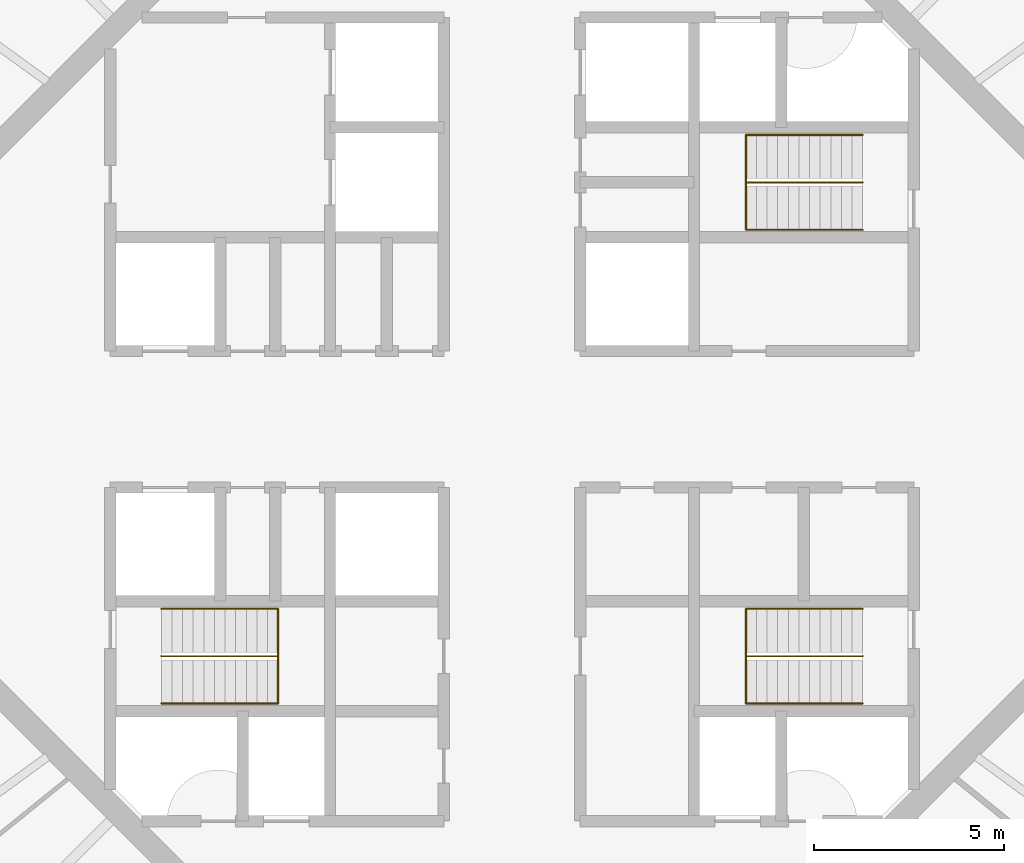
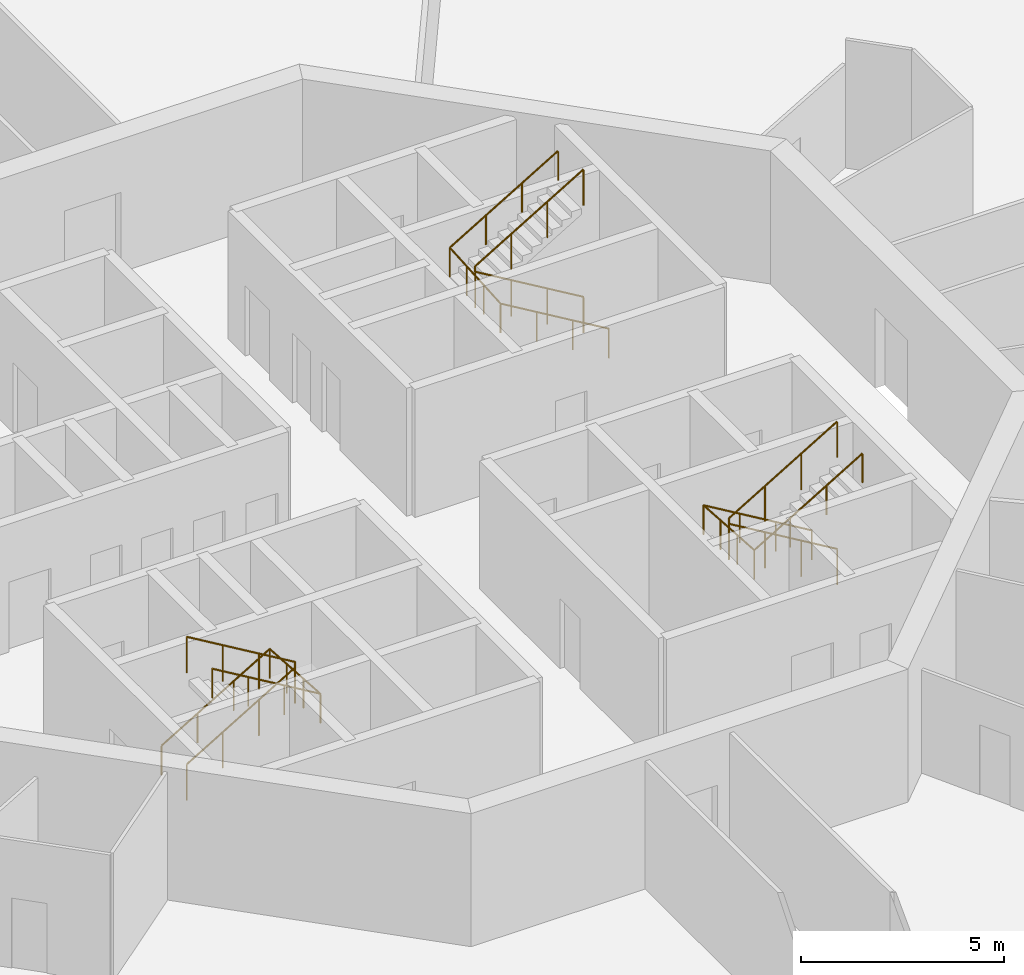
# One storey, part 13 of 13: 6 railings.
"""IFC4 building model written with IfcOpenShell, lengths in metres."""

import ifcopenshell
import ifcopenshell.guid

model = None  # the IFC model being written
_history = None  # IfcOwnerHistory: only IFC2X3 demands one
_inside = {}  # id of a spatial element -> (the spatial element, [elements in it])
_under = {}  # id of a project, library or spatial element -> (it, [spatial elements below it])
_declared = {}  # id of a project -> (the project, [libraries it declares])
_typed = {}  # id of a type object -> (the type object, [elements of that type])
_made_of = {}  # id of a material, layer set ... -> (it, [elements and type objects made of it])


def new_model(schema):
    """Start an empty IFC model of exactly this schema.

    Asked for "IFC4X3", IfcOpenShell would pick the latest addendum, in which some entities
    have other attributes; the version numbers below select the first issue.
    IFC2X3 requires an IfcOwnerHistory on every rooted entity: one is made here for all.
    """
    global model, _history
    if schema == "IFC4X3":
        model = ifcopenshell.file(schema_version=(4, 3, 0, 0))
    else:
        model = ifcopenshell.file(schema=schema)
    _inside.clear()
    _under.clear()
    _declared.clear()
    _typed.clear()
    _made_of.clear()
    _history = None
    if model.schema == "IFC2X3":
        org = make("IfcOrganization", Name="unknown")
        user = make(
            "IfcPersonAndOrganization",
            ThePerson=make("IfcPerson", FamilyName="unknown"),
            TheOrganization=org,
        )
        app = make(
            "IfcApplication",
            ApplicationDeveloper=org,
            Version="unknown",
            ApplicationFullName="unknown",
            ApplicationIdentifier="unknown",
        )
        _history = make(
            "IfcOwnerHistory",
            OwningUser=user,
            OwningApplication=app,
            ChangeAction="ADDED",
            CreationDate=0,
        )
    return model


def make(cls, **values):
    """One entity of the class cls with the attributes given. An attribute that is None is left unset."""
    return model.create_entity(
        cls, **{name: value for name, value in values.items() if value is not None}
    )


def rooted(cls, **values):
    """An entity with a GlobalId (a new one), such as an element, a storey or a relation."""
    return make(cls, GlobalId=ifcopenshell.guid.new(), OwnerHistory=_history, **values)


def si_unit(unit_type, name, prefix=None):
    """IfcSIUnit, for example si_unit("LENGTHUNIT", "METRE", prefix="MILLI")."""
    return make("IfcSIUnit", UnitType=unit_type, Prefix=prefix, Name=name)


def assignment(units):
    """IfcUnitAssignment: the units of a project."""
    return None if units is None else make("IfcUnitAssignment", Units=units)


def point(xyz):
    """IfcCartesianPoint."""
    return None if xyz is None else make("IfcCartesianPoint", Coordinates=xyz)


def direction(xyz):
    """IfcDirection."""
    return None if xyz is None else make("IfcDirection", DirectionRatios=xyz)


def frame(location, z_axis=None, x_axis=None):
    """IfcAxis2Placement3D, a coordinate frame: its origin and axes. An axis left out is left unset."""
    return make(
        "IfcAxis2Placement3D",
        Location=point(location),
        Axis=direction(z_axis),
        RefDirection=direction(x_axis),
    )


def frame_2d(location, x_axis=None):
    """IfcAxis2Placement2D, a coordinate frame in the plane: its origin and x axis."""
    return make(
        "IfcAxis2Placement2D", Location=point(location), RefDirection=direction(x_axis)
    )


def origin():
    """The frame at (0, 0, 0) with its axes left unset."""
    return frame((0.0, 0.0, 0.0))


def origin_2d():
    """The frame at (0, 0) in the plane with its x axis left unset."""
    return frame_2d((0.0, 0.0))


def place(relative_to, where):
    """IfcLocalPlacement: puts the frame where relative to a parent placement (None: the world)."""
    return make(
        "IfcLocalPlacement", PlacementRelTo=relative_to, RelativePlacement=where
    )


def context(
    kind, dimensions, precision=None, world=None, true_north=None, identifier=None
):
    """IfcGeometricRepresentationContext, for example the 3D "Model" context."""
    return make(
        "IfcGeometricRepresentationContext",
        ContextIdentifier=identifier,
        ContextType=kind,
        CoordinateSpaceDimension=dimensions,
        Precision=precision,
        WorldCoordinateSystem=world,
        TrueNorth=true_north,
    )


def subcontext(parent, identifier, kind, view, scale=None):
    """IfcGeometricRepresentationSubContext, for example "Body" below "Model"."""
    return make(
        "IfcGeometricRepresentationSubContext",
        ContextIdentifier=identifier,
        ContextType=kind,
        ParentContext=parent,
        TargetScale=scale,
        TargetView=view,
    )


def project(units=None, contexts=None):
    """IfcProject with its units and contexts."""
    return rooted(
        "IfcProject",
        Name="project",
        RepresentationContexts=contexts,
        UnitsInContext=assignment(units),
    )


def spatial(cls, under=None, at=None, **own):
    """A site, building, storey or space (cls), placed at a placement, below another one or the project."""
    s = rooted(cls, ObjectPlacement=at, **own)
    if under is not None:
        _under.setdefault(under.id(), (under, []))[1].append(s)
    return s


def profile(cls, at=None, kind="AREA", **sizes):
    """A parametric profile (cls). Its sizes go by their IFC names, for example OverallWidth=200.0."""
    return make(cls, ProfileType=kind, Position=at, **sizes)


def circle(**sizes):
    """IfcCircleProfileDef."""
    return profile("IfcCircleProfileDef", **sizes)


def extrude(swept, where, along, depth):
    """IfcExtrudedAreaSolid: the profile swept, set in the frame where, extruded along a direction by depth."""
    return make(
        "IfcExtrudedAreaSolid",
        SweptArea=swept,
        Position=where,
        ExtrudedDirection=direction(along),
        Depth=depth,
    )


def shape(context_of_items, identifier, shape_type, items):
    """IfcShapeRepresentation: the items that make up one representation, for example the "Body"."""
    return make(
        "IfcShapeRepresentation",
        ContextOfItems=context_of_items,
        RepresentationIdentifier=identifier,
        RepresentationType=shape_type,
        Items=items,
    )


def material(Name=None, Category=None):
    """IfcMaterial."""
    return make("IfcMaterial", Name=Name, Category=Category)


def made_of(thing, what):
    """Note that an element or type object is made of a material, layer set ...; save() writes the relation."""
    if what is not None:
        _made_of.setdefault(what.id(), (what, []))[1].append(thing)
    return thing


def type_object(cls, material=None, **own):
    """A type object (cls), such as IfcWallType, which elements share."""
    return made_of(rooted(cls, **own), material)


def element(
    cls,
    number,
    at=None,
    inside=None,
    cuts=None,
    type_object=None,
    material=None,
    context=None,
    identifier="Body",
    shape_type=None,
    held_by="IfcProductDefinitionShape",
    body=None,
    shapes=None,
    **own,
):
    """One element of the class cls, such as IfcWall. Its Tag is "e" and its number.

    at: its placement. inside: the storey or other place that contains it. cuts: it is an
    opening in that element (IfcRelVoidsElement). A single representation is given by context,
    identifier, shape_type and body (its items); several are given by shapes. held_by: the class
    of the entity that holds the representations. save() writes the other relations.
    """
    e = rooted(cls, Tag="e%d" % number, ObjectPlacement=at, **own)
    if body is not None:
        shapes = [shape(context, identifier, shape_type, body)]
    if shapes is not None:
        e.Representation = make(held_by, Representations=shapes)
    if inside is not None:
        _inside.setdefault(inside.id(), (inside, []))[1].append(e)
    if cuts is not None:
        rooted(
            "IfcRelVoidsElement", RelatingBuildingElement=cuts, RelatedOpeningElement=e
        )
    if type_object is not None:
        _typed.setdefault(type_object.id(), (type_object, []))[1].append(e)
    return made_of(e, material)


def aggregate(whole, parts):
    """IfcRelAggregates: a whole, such as a stair, and the parts it consists of."""
    return rooted("IfcRelAggregates", RelatingObject=whole, RelatedObjects=parts)


def save(model, path):
    """Write the relations noted so far, then the file.

    IfcRelAggregates (storeys below a building ...), IfcRelContainedInSpatialStructure (elements
    in a storey), IfcRelDefinesByType, IfcRelAssociatesMaterial and IfcRelDeclares: one each for
    every whole, place, type object, material and project.
    """
    for whole, parts in _under.values():
        aggregate(whole, parts)
    for where, things in _inside.values():
        rooted(
            "IfcRelContainedInSpatialStructure",
            RelatedElements=things,
            RelatingStructure=where,
        )
    for kind, things in _typed.values():
        rooted("IfcRelDefinesByType", RelatedObjects=things, RelatingType=kind)
    for what, things in _made_of.values():
        rooted("IfcRelAssociatesMaterial", RelatedObjects=things, RelatingMaterial=what)
    for by, libraries in _declared.values():
        rooted("IfcRelDeclares", RelatingContext=by, RelatedDefinitions=libraries)
    model.write(path)


model = new_model("IFC4")

# Units and contexts
model_context = context("Model", 3, precision=1e-05, world=origin(), true_north=direction((0.0, 1.0)))
body_context = subcontext(model_context, "Body", "Model", "MODEL_VIEW")
ifc_project = project(units=[si_unit("LENGTHUNIT", "METRE"), si_unit("AREAUNIT", "SQUARE_METRE"), si_unit("VOLUMEUNIT", "CUBIC_METRE"), si_unit("PLANEANGLEUNIT", "RADIAN"), si_unit("MASSUNIT", "GRAM", prefix="KILO")], contexts=[model_context])

# Site, building, storey
site_placement = place(None, origin())
site = spatial("IfcSite", under=ifc_project, at=site_placement, CompositionType="ELEMENT")
building_placement = place(site_placement, origin())
building = spatial("IfcBuilding", under=site, at=building_placement, Name="Entoto Ring Tower", CompositionType="ELEMENT")
storey_placement = place(building_placement, frame((0.0, 0.0, 348.0)))
storey = spatial("IfcBuildingStorey", under=building, at=storey_placement, Name="L80", CompositionType="ELEMENT", Elevation=348.0)

# Railings
ifc_material_1 = material(Name="Steel S275", Category="steel")
railing_type_1 = type_object("IfcRailingType", Name="Stair guard 1100 mm steel", PredefinedType="GUARDRAIL", material=ifc_material_1)
railing_1_placement = place(storey_placement, frame((99.25, 86.25, 0.166748046875)))
element("IfcRailing", 1, at=railing_1_placement, inside=storey, type_object=railing_type_1, Name="Guard ST1", PredefinedType="GUARDRAIL", context=body_context, shape_type="SweptSolid", body=[
    extrude(circle(Radius=0.02392578125, at=origin_2d()), frame((0.0, 0.0, 1.076171875), z_axis=(-0.859308565015, 0.0, 0.511457515432), x_axis=(0.0, -1.0, 0.0)), (0.0, 0.0, 1.0), 3.58447265625),
    extrude(circle(Radius=0.02392578125, at=origin_2d()), frame((-3.080078125, 0.0, 2.9091796875), z_axis=(0.0, 0.0, 1.0), x_axis=(1.0, 0.0, 0.0)), (0.0, 0.0, 1.0), 0.166748046875),
    extrude(circle(Radius=0.02392578125, at=origin_2d()), frame((-3.080078125, 0.0, 3.076171875), z_axis=(0.859308565015, 0.0, 0.511457515432), x_axis=(0.0, 1.0, 0.0)), (0.0, 0.0, 1.0), 3.58447265625),
    extrude(circle(Radius=0.02099609375, at=origin_2d()), origin(), (0.0, 0.0, 1.0), 1.052001953125),
    extrude(circle(Radius=0.02099609375, at=origin_2d()), frame((-1.026611328125, 0.0, 0.611083984375)), (0.0, 0.0, 1.0), 1.052001953125),
    extrude(circle(Radius=0.02099609375, at=origin_2d()), frame((-2.053466796875, 0.0, 1.22216796875)), (0.0, 0.0, 1.0), 1.052001953125),
    extrude(circle(Radius=0.02099609375, at=origin_2d()), frame((-3.080078125, 0.0, 1.833251953125)), (0.0, 0.0, 1.0), 1.052001953125),
    extrude(circle(Radius=0.02099609375, at=origin_2d()), frame((-3.080078125, 0.0, 2.0)), (0.0, 0.0, 1.0), 1.052001953125),
    extrude(circle(Radius=0.02099609375, at=origin_2d()), frame((-2.053466796875, 0.0, 2.611083984375)), (0.0, 0.0, 1.0), 1.052001953125),
    extrude(circle(Radius=0.02099609375, at=origin_2d()), frame((-1.026611328125, 0.0, 3.22216796875)), (0.0, 0.0, 1.0), 1.052001953125),
    extrude(circle(Radius=0.02099609375, at=origin_2d()), frame((0.0, 0.0, 3.833251953125)), (0.0, 0.0, 1.0), 1.052001953125),
])
railing_2_placement = place(storey_placement, frame((80.75, 73.75, 0.166748046875)))
element("IfcRailing", 2, at=railing_2_placement, inside=storey, type_object=railing_type_1, Name="Guard ST2", PredefinedType="GUARDRAIL", context=body_context, shape_type="SweptSolid", body=[
    extrude(circle(Radius=0.02392578125, at=origin_2d()), frame((0.0, 0.0, 1.076171875), z_axis=(0.859308565015, 0.0, 0.511457515432), x_axis=(0.0, 1.0, 0.0)), (0.0, 0.0, 1.0), 3.58447265625),
    extrude(circle(Radius=0.02392578125, at=origin_2d()), frame((3.080078125, 0.0, 2.9091796875), z_axis=(0.0, 0.0, 1.0), x_axis=(1.0, 0.0, 0.0)), (0.0, 0.0, 1.0), 0.166748046875),
    extrude(circle(Radius=0.02392578125, at=origin_2d()), frame((3.080078125, 0.0, 3.076171875), z_axis=(-0.859308565015, 0.0, 0.511457515432), x_axis=(0.0, -1.0, 0.0)), (0.0, 0.0, 1.0), 3.58447265625),
    extrude(circle(Radius=0.02099609375, at=origin_2d()), origin(), (0.0, 0.0, 1.0), 1.052001953125),
    extrude(circle(Radius=0.02099609375, at=origin_2d()), frame((1.026611328125, 0.0, 0.611083984375)), (0.0, 0.0, 1.0), 1.052001953125),
    extrude(circle(Radius=0.02099609375, at=origin_2d()), frame((2.053466796875, 0.0, 1.22216796875)), (0.0, 0.0, 1.0), 1.052001953125),
    extrude(circle(Radius=0.02099609375, at=origin_2d()), frame((3.080078125, 0.0, 1.833251953125)), (0.0, 0.0, 1.0), 1.052001953125),
    extrude(circle(Radius=0.02099609375, at=origin_2d()), frame((3.080078125, 0.0, 2.0)), (0.0, 0.0, 1.0), 1.052001953125),
    extrude(circle(Radius=0.02099609375, at=origin_2d()), frame((2.053466796875, 0.0, 2.611083984375)), (0.0, 0.0, 1.0), 1.052001953125),
    extrude(circle(Radius=0.02099609375, at=origin_2d()), frame((1.026611328125, 0.0, 3.22216796875)), (0.0, 0.0, 1.0), 1.052001953125),
    extrude(circle(Radius=0.02099609375, at=origin_2d()), frame((0.0, 0.0, 3.833251953125)), (0.0, 0.0, 1.0), 1.052001953125),
])
railing_3_placement = place(storey_placement, frame((99.25, 73.75, 0.166748046875)))
element("IfcRailing", 3, at=railing_3_placement, inside=storey, type_object=railing_type_1, Name="Guard ST3", PredefinedType="GUARDRAIL", context=body_context, shape_type="SweptSolid", body=[
    extrude(circle(Radius=0.02392578125, at=origin_2d()), frame((0.0, 0.0, 1.076171875), z_axis=(-0.859308565015, 0.0, 0.511457515432), x_axis=(0.0, -1.0, 0.0)), (0.0, 0.0, 1.0), 3.58447265625),
    extrude(circle(Radius=0.02392578125, at=origin_2d()), frame((-3.080078125, 0.0, 2.9091796875), z_axis=(0.0, 0.0, 1.0), x_axis=(1.0, 0.0, 0.0)), (0.0, 0.0, 1.0), 0.166748046875),
    extrude(circle(Radius=0.02392578125, at=origin_2d()), frame((-3.080078125, 0.0, 3.076171875), z_axis=(0.859308565015, 0.0, 0.511457515432), x_axis=(0.0, 1.0, 0.0)), (0.0, 0.0, 1.0), 3.58447265625),
    extrude(circle(Radius=0.02099609375, at=origin_2d()), origin(), (0.0, 0.0, 1.0), 1.052001953125),
    extrude(circle(Radius=0.02099609375, at=origin_2d()), frame((-1.026611328125, 0.0, 0.611083984375)), (0.0, 0.0, 1.0), 1.052001953125),
    extrude(circle(Radius=0.02099609375, at=origin_2d()), frame((-2.053466796875, 0.0, 1.22216796875)), (0.0, 0.0, 1.0), 1.052001953125),
    extrude(circle(Radius=0.02099609375, at=origin_2d()), frame((-3.080078125, 0.0, 1.833251953125)), (0.0, 0.0, 1.0), 1.052001953125),
    extrude(circle(Radius=0.02099609375, at=origin_2d()), frame((-3.080078125, 0.0, 2.0)), (0.0, 0.0, 1.0), 1.052001953125),
    extrude(circle(Radius=0.02099609375, at=origin_2d()), frame((-2.053466796875, 0.0, 2.611083984375)), (0.0, 0.0, 1.0), 1.052001953125),
    extrude(circle(Radius=0.02099609375, at=origin_2d()), frame((-1.026611328125, 0.0, 3.22216796875)), (0.0, 0.0, 1.0), 1.052001953125),
    extrude(circle(Radius=0.02099609375, at=origin_2d()), frame((0.0, 0.0, 3.833251953125)), (0.0, 0.0, 1.0), 1.052001953125),
])
ifc_material_2 = material(Name="Steel S275", Category="steel")
railing_type_2 = type_object("IfcRailingType", Name="Stair handrail 900 mm steel", PredefinedType="HANDRAIL", material=ifc_material_2)
railing_4_placement = place(storey_placement, frame((99.25, 85.0, 0.166748046875)))
element("IfcRailing", 4, at=railing_4_placement, inside=storey, type_object=railing_type_2, Name="Handrail ST1", PredefinedType="HANDRAIL", context=body_context, shape_type="SweptSolid", body=[
    extrude(circle(Radius=0.02392578125, at=origin_2d()), frame((0.0, 0.0, 0.8759765625), z_axis=(-0.859308565015, 0.0, 0.511457515432), x_axis=(0.0, -1.0, 0.0)), (0.0, 0.0, 1.0), 3.58447265625),
    extrude(circle(Radius=0.02392578125, at=origin_2d()), frame((-3.080078125, 0.0, 2.708984375), z_axis=(0.0, 0.997783001586, 0.066551346688), x_axis=(-1.0, 0.0, 0.0)), (0.0, 0.0, 1.0), 2.505615234375),
    extrude(circle(Radius=0.02392578125, at=origin_2d()), frame((-3.080078125, 2.5, 2.8759765625), z_axis=(0.859308565015, 0.0, 0.511457515432), x_axis=(0.0, 1.0, 0.0)), (0.0, 0.0, 1.0), 3.58447265625),
    extrude(circle(Radius=0.02099609375, at=origin_2d()), origin(), (0.0, 0.0, 1.0), 0.851806640625),
    extrude(circle(Radius=0.02099609375, at=origin_2d()), frame((-1.026611328125, 0.0, 0.611083984375)), (0.0, 0.0, 1.0), 0.851806640625),
    extrude(circle(Radius=0.02099609375, at=origin_2d()), frame((-2.053466796875, 0.0, 1.22216796875)), (0.0, 0.0, 1.0), 0.851806640625),
    extrude(circle(Radius=0.02099609375, at=origin_2d()), frame((-3.080078125, 0.0, 1.833251953125)), (0.0, 0.0, 1.0), 0.851806640625),
    extrude(circle(Radius=0.02099609375, at=origin_2d()), frame((-3.080078125, 0.833251953125, 1.888916015625)), (0.0, 0.0, 1.0), 0.851806640625),
    extrude(circle(Radius=0.02099609375, at=origin_2d()), frame((-3.080078125, 1.666748046875, 1.9443359375)), (0.0, 0.0, 1.0), 0.851806640625),
    extrude(circle(Radius=0.02099609375, at=origin_2d()), frame((-3.080078125, 2.5, 2.0)), (0.0, 0.0, 1.0), 0.851806640625),
    extrude(circle(Radius=0.02099609375, at=origin_2d()), frame((-2.053466796875, 2.5, 2.611083984375)), (0.0, 0.0, 1.0), 0.851806640625),
    extrude(circle(Radius=0.02099609375, at=origin_2d()), frame((-1.026611328125, 2.5, 3.22216796875)), (0.0, 0.0, 1.0), 0.851806640625),
    extrude(circle(Radius=0.02099609375, at=origin_2d()), frame((0.0, 2.5, 3.833251953125)), (0.0, 0.0, 1.0), 0.851806640625),
])
railing_5_placement = place(storey_placement, frame((80.75, 75.0, 0.166748046875)))
element("IfcRailing", 5, at=railing_5_placement, inside=storey, type_object=railing_type_2, Name="Handrail ST2", PredefinedType="HANDRAIL", context=body_context, shape_type="SweptSolid", body=[
    extrude(circle(Radius=0.02392578125, at=origin_2d()), frame((0.0, 0.0, 0.8759765625), z_axis=(0.859308565015, 0.0, 0.511457515432), x_axis=(0.0, 1.0, 0.0)), (0.0, 0.0, 1.0), 3.58447265625),
    extrude(circle(Radius=0.02392578125, at=origin_2d()), frame((3.080078125, 0.0, 2.708984375), z_axis=(0.0, -0.997783001586, 0.066551346688), x_axis=(1.0, 0.0, 0.0)), (0.0, 0.0, 1.0), 2.505615234375),
    extrude(circle(Radius=0.02392578125, at=origin_2d()), frame((3.080078125, -2.5, 2.8759765625), z_axis=(-0.859308565015, 0.0, 0.511457515432), x_axis=(0.0, -1.0, 0.0)), (0.0, 0.0, 1.0), 3.58447265625),
    extrude(circle(Radius=0.02099609375, at=origin_2d()), origin(), (0.0, 0.0, 1.0), 0.851806640625),
    extrude(circle(Radius=0.02099609375, at=origin_2d()), frame((1.026611328125, 0.0, 0.611083984375)), (0.0, 0.0, 1.0), 0.851806640625),
    extrude(circle(Radius=0.02099609375, at=origin_2d()), frame((2.053466796875, 0.0, 1.22216796875)), (0.0, 0.0, 1.0), 0.851806640625),
    extrude(circle(Radius=0.02099609375, at=origin_2d()), frame((3.080078125, 0.0, 1.833251953125)), (0.0, 0.0, 1.0), 0.851806640625),
    extrude(circle(Radius=0.02099609375, at=origin_2d()), frame((3.080078125, -0.833251953125, 1.888916015625)), (0.0, 0.0, 1.0), 0.851806640625),
    extrude(circle(Radius=0.02099609375, at=origin_2d()), frame((3.080078125, -1.666748046875, 1.9443359375)), (0.0, 0.0, 1.0), 0.851806640625),
    extrude(circle(Radius=0.02099609375, at=origin_2d()), frame((3.080078125, -2.5, 2.0)), (0.0, 0.0, 1.0), 0.851806640625),
    extrude(circle(Radius=0.02099609375, at=origin_2d()), frame((2.053466796875, -2.5, 2.611083984375)), (0.0, 0.0, 1.0), 0.851806640625),
    extrude(circle(Radius=0.02099609375, at=origin_2d()), frame((1.026611328125, -2.5, 3.22216796875)), (0.0, 0.0, 1.0), 0.851806640625),
    extrude(circle(Radius=0.02099609375, at=origin_2d()), frame((0.0, -2.5, 3.833251953125)), (0.0, 0.0, 1.0), 0.851806640625),
])
railing_6_placement = place(storey_placement, frame((99.25, 75.0, 0.166748046875)))
element("IfcRailing", 6, at=railing_6_placement, inside=storey, type_object=railing_type_2, Name="Handrail ST3", PredefinedType="HANDRAIL", context=body_context, shape_type="SweptSolid", body=[
    extrude(circle(Radius=0.02392578125, at=origin_2d()), frame((0.0, 0.0, 0.8759765625), z_axis=(-0.859308565015, 0.0, 0.511457515432), x_axis=(0.0, -1.0, 0.0)), (0.0, 0.0, 1.0), 3.58447265625),
    extrude(circle(Radius=0.02392578125, at=origin_2d()), frame((-3.080078125, 0.0, 2.708984375), z_axis=(0.0, -0.997783001586, 0.066551346688), x_axis=(1.0, 0.0, 0.0)), (0.0, 0.0, 1.0), 2.505615234375),
    extrude(circle(Radius=0.02392578125, at=origin_2d()), frame((-3.080078125, -2.5, 2.8759765625), z_axis=(0.859308565015, 0.0, 0.511457515432), x_axis=(0.0, 1.0, 0.0)), (0.0, 0.0, 1.0), 3.58447265625),
    extrude(circle(Radius=0.02099609375, at=origin_2d()), origin(), (0.0, 0.0, 1.0), 0.851806640625),
    extrude(circle(Radius=0.02099609375, at=origin_2d()), frame((-1.026611328125, 0.0, 0.611083984375)), (0.0, 0.0, 1.0), 0.851806640625),
    extrude(circle(Radius=0.02099609375, at=origin_2d()), frame((-2.053466796875, 0.0, 1.22216796875)), (0.0, 0.0, 1.0), 0.851806640625),
    extrude(circle(Radius=0.02099609375, at=origin_2d()), frame((-3.080078125, 0.0, 1.833251953125)), (0.0, 0.0, 1.0), 0.851806640625),
    extrude(circle(Radius=0.02099609375, at=origin_2d()), frame((-3.080078125, -0.833251953125, 1.888916015625)), (0.0, 0.0, 1.0), 0.851806640625),
    extrude(circle(Radius=0.02099609375, at=origin_2d()), frame((-3.080078125, -1.666748046875, 1.9443359375)), (0.0, 0.0, 1.0), 0.851806640625),
    extrude(circle(Radius=0.02099609375, at=origin_2d()), frame((-3.080078125, -2.5, 2.0)), (0.0, 0.0, 1.0), 0.851806640625),
    extrude(circle(Radius=0.02099609375, at=origin_2d()), frame((-2.053466796875, -2.5, 2.611083984375)), (0.0, 0.0, 1.0), 0.851806640625),
    extrude(circle(Radius=0.02099609375, at=origin_2d()), frame((-1.026611328125, -2.5, 3.22216796875)), (0.0, 0.0, 1.0), 0.851806640625),
    extrude(circle(Radius=0.02099609375, at=origin_2d()), frame((0.0, -2.5, 3.833251953125)), (0.0, 0.0, 1.0), 0.851806640625),
])

save(model, "model.ifc")
